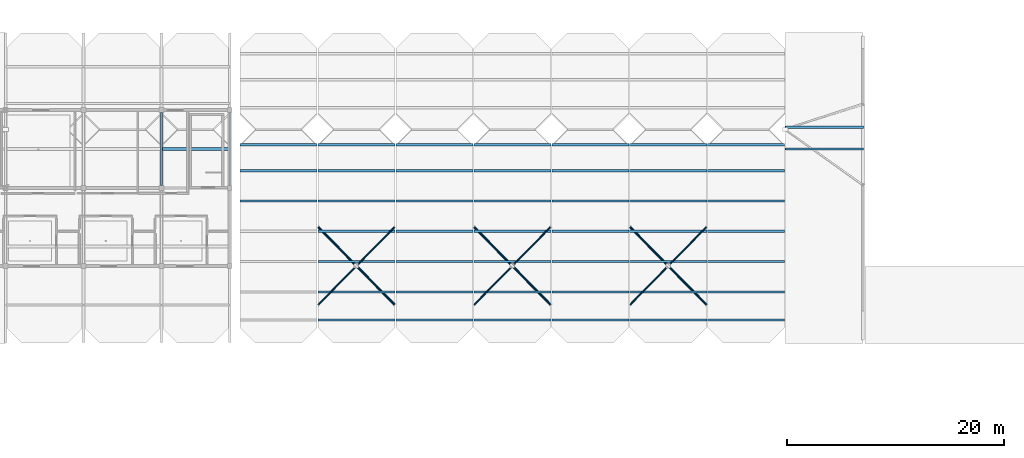
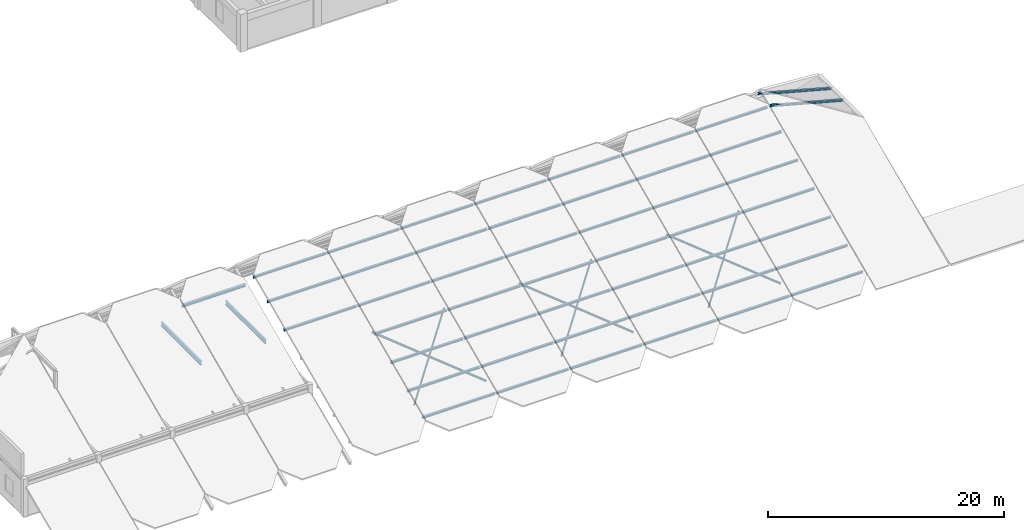
# One storey, part 4 of 54: 57 members, 2 beams.
"""IFC4 building model written with IfcOpenShell, lengths in metres."""

from ifc_helpers import new_model, si_unit, direction, frame, origin, origin_2d, place, context, subcontext, project, spatial, hollow_circle, i_section, extrude, material, material_profile, profile_set, type_object, element, save


model = new_model("IFC4")

# Units and contexts
model_context = context("Model", 3, precision=1e-05, world=origin(), true_north=direction((0.0, 1.0)))
body_context = subcontext(model_context, "Body", "Model", "MODEL_VIEW")
ifc_project = project(units=[si_unit("LENGTHUNIT", "METRE"), si_unit("AREAUNIT", "SQUARE_METRE"), si_unit("VOLUMEUNIT", "CUBIC_METRE"), si_unit("PLANEANGLEUNIT", "RADIAN"), si_unit("MASSUNIT", "GRAM", prefix="KILO")], contexts=[model_context])

# Site, building, storey
site_placement = place(None, origin())
site = spatial("IfcSite", under=ifc_project, at=site_placement, CompositionType="ELEMENT")
building_placement = place(site_placement, origin())
building = spatial("IfcBuilding", under=site, at=building_placement, Name="Koriwan Promenade Central Fire Station", CompositionType="ELEMENT")
storey_placement = place(building_placement, frame((0.0, 0.0, 9.60009765625)))
storey = spatial("IfcBuildingStorey", under=building, at=storey_placement, Name="L02", CompositionType="ELEMENT", Elevation=9.60009765625)

# Members
ifc_material_1 = material(Name="Steel ASTM A500 Grade C", Category="steel")
ifc_material_profile_1 = material_profile(ifc_material_1, hollow_circle(Radius=0.084228515625, WallThickness=0.008056640625, at=origin_2d()), Name="CHS168x8")
ifc_profile_set_1 = profile_set([ifc_material_profile_1], Name="Steel ASTM A500 Grade C")
member_type_1 = type_object("IfcMemberType", Name="Member_BRACE_CHS168x8", PredefinedType="BRACE", material=ifc_profile_set_1)
member_1_placement = place(storey_placement, frame((64.860107421875, 46.800048828125, 0.97998046875), z_axis=(0.668378367491, 0.679720431282, 0.302076965637), x_axis=(-0.713030701844, 0.701132810692, 0.0)))
element("IfcMember", 1, at=member_1_placement, inside=storey, type_object=member_type_1, Name="V1 roof wind brace 2A south half", PredefinedType="BRACE", context=body_context, shape_type="SweptSolid", body=[
    extrude(hollow_circle(Radius=0.084228515625, WallThickness=0.008056640625, at=origin_2d()), origin(), (0.0, 0.0, 1.0), 5.166015625),
])
member_2_placement = place(storey_placement, frame((68.48681640625, 50.48828125, 2.619140625), z_axis=(0.668373502779, 0.679714682125, 0.302100664824), x_axis=(-0.713030288322, 0.701133231231, 0.0)))
element("IfcMember", 2, at=member_2_placement, inside=storey, type_object=member_type_1, Name="V1 roof wind brace 2A north half", PredefinedType="BRACE", context=body_context, shape_type="SweptSolid", body=[
    extrude(hollow_circle(Radius=0.084228515625, WallThickness=0.008056640625, at=origin_2d()), origin(), (0.0, 0.0, 1.0), 5.16650390625),
])
member_3_placement = place(storey_placement, frame((79.260009765625, 46.800048828125, 0.97998046875), z_axis=(0.668404513034, 0.679698961466, 0.30206742416), x_axis=(-0.713005918495, 0.701158013711, 0.0)))
element("IfcMember", 3, at=member_3_placement, inside=storey, type_object=member_type_1, Name="V1 roof wind brace 4A south half", PredefinedType="BRACE", context=body_context, shape_type="SweptSolid", body=[
    extrude(hollow_circle(Radius=0.084228515625, WallThickness=0.008056640625, at=origin_2d()), origin(), (0.0, 0.0, 1.0), 5.166259765625),
])
member_4_placement = place(storey_placement, frame((82.886962890625, 50.48828125, 2.619140625), z_axis=(0.668373502779, 0.679714682125, 0.302100664824), x_axis=(-0.713030288322, 0.701133231231, 0.0)))
element("IfcMember", 4, at=member_4_placement, inside=storey, type_object=member_type_1, Name="V1 roof wind brace 4A north half", PredefinedType="BRACE", context=body_context, shape_type="SweptSolid", body=[
    extrude(hollow_circle(Radius=0.084228515625, WallThickness=0.008056640625, at=origin_2d()), origin(), (0.0, 0.0, 1.0), 5.16650390625),
])
member_5_placement = place(storey_placement, frame((93.659912109375, 46.800048828125, 0.97998046875), z_axis=(0.668404513034, 0.679698961466, 0.30206742416), x_axis=(-0.713005918495, 0.701158013711, 0.0)))
element("IfcMember", 5, at=member_5_placement, inside=storey, type_object=member_type_1, Name="V1 roof wind brace 6A south half", PredefinedType="BRACE", context=body_context, shape_type="SweptSolid", body=[
    extrude(hollow_circle(Radius=0.084228515625, WallThickness=0.008056640625, at=origin_2d()), origin(), (0.0, 0.0, 1.0), 5.166259765625),
])
member_6_placement = place(storey_placement, frame((97.286865234375, 50.48828125, 2.619140625), z_axis=(0.668373502779, 0.679714682125, 0.302100664824), x_axis=(-0.713030288322, 0.701133231231, 0.0)))
element("IfcMember", 6, at=member_6_placement, inside=storey, type_object=member_type_1, Name="V1 roof wind brace 6A north half", PredefinedType="BRACE", context=body_context, shape_type="SweptSolid", body=[
    extrude(hollow_circle(Radius=0.084228515625, WallThickness=0.008056640625, at=origin_2d()), origin(), (0.0, 0.0, 1.0), 5.16650390625),
])
ifc_material_profile_2 = material_profile(ifc_material_1, hollow_circle(Radius=0.109619140625, WallThickness=0.010009765625, at=origin_2d()), Name="CHS219x10")
ifc_profile_set_2 = profile_set([ifc_material_profile_2], Name="Steel ASTM A500 Grade C")
member_type_2 = type_object("IfcMemberType", Name="Member_BRACE_CHS219x10", PredefinedType="BRACE", material=ifc_profile_set_2)
member_7_placement = place(storey_placement, frame((64.860107421875, 54.0, 4.179931640625), z_axis=(0.668375888548, -0.679715622235, -0.302093271189), x_axis=(0.713029521946, 0.70113401061, 0.0)))
element("IfcMember", 7, at=member_7_placement, inside=storey, type_object=member_type_2, Name="V1 roof wind brace 2B", PredefinedType="BRACE", context=body_context, shape_type="SweptSolid", body=[
    extrude(hollow_circle(Radius=0.109619140625, WallThickness=0.010009765625, at=origin_2d()), origin(), (0.0, 0.0, 1.0), 10.592529296875),
])
for number, where, z_axis, x_axis, name in (
    (8, (79.260009765625, 54.0, 4.179931640625), (0.668388640238, -0.679705151353, -0.302088617503), (0.713017434821, 0.701146302594, 0.0), "V1 roof wind brace 4B"),
    (9, (93.659912109375, 54.0, 4.179931640625), (0.668388640238, -0.679705151353, -0.302088617503), (0.713017434821, 0.701146302594, 0.0), "V1 roof wind brace 6B"),
):
    element("IfcMember", number, at=place(storey_placement, frame(where, z_axis=z_axis, x_axis=x_axis)), inside=storey, type_object=member_type_2, Name=name, PredefinedType="BRACE", context=body_context, shape_type="SweptSolid", body=[
        extrude(hollow_circle(Radius=0.109619140625, WallThickness=0.010009765625, at=origin_2d()), origin(), (0.0, 0.0, 1.0), 10.5927734375),
    ])
ifc_material_2 = material(Name="Steel ASTM A992 Grade 50", Category="steel")
ifc_material_profile_3 = material_profile(ifc_material_2, i_section(OverallWidth=0.202880859375, OverallDepth=0.202880859375, WebThickness=0.007080078125, FlangeThickness=0.010986328125, FilletRadius=0.010009765625, at=origin_2d()), Name="W200x46")
ifc_profile_set_3 = profile_set([ifc_material_profile_3], Name="Steel ASTM A992 Grade 50")
member_type_3 = type_object("IfcMemberType", Name="Member_PURLIN_W200x46", PredefinedType="PURLIN", material=ifc_profile_set_3)
for number, where, z_axis, x_axis, name in (
    (10, (57.639892578125, 56.39990234375, 5.4345703125), (1.0, 0.0, 0.0), (0.0, 1.0, 0.0), "V1 roof purlin bay 1-5"),
    (11, (57.639892578125, 61.60009765625, 7.74560546875), (1.0, 0.0, 0.0), (0.0, 1.0, 0.0), "V1 roof purlin bay 1-7"),
):
    element("IfcMember", number, at=place(storey_placement, frame(where, z_axis=z_axis, x_axis=x_axis)), inside=storey, type_object=member_type_3, Name=name, PredefinedType="PURLIN", context=body_context, shape_type="SweptSolid", body=[
        extrude(i_section(OverallWidth=0.202880859375, OverallDepth=0.202880859375, WebThickness=0.007080078125, FlangeThickness=0.010986328125, FilletRadius=0.010009765625, at=origin_2d()), origin(), (0.0, 0.0, 1.0), 7.1201171875),
    ])
for number, where, z_axis, x_axis, name in (
    (12, (64.840087890625, 45.39990234375, 0.545654296875), (1.0, 0.0, 0.0), (0.0, 1.0, 0.0), "V1 roof purlin bay 2-1"),
    (13, (64.840087890625, 50.800048828125, 2.945556640625), (1.0, 0.0, 0.0), (0.0, 1.0, 0.0), "V1 roof purlin bay 2-3"),
    (14, (64.840087890625, 56.39990234375, 5.4345703125), (1.0, 0.0, 0.0), (0.0, 1.0, 0.0), "V1 roof purlin bay 2-5"),
    (15, (64.840087890625, 61.60009765625, 7.74560546875), (1.0, 0.0, 0.0), (0.0, 1.0, 0.0), "V1 roof purlin bay 2-7"),
    (16, (72.0400390625, 45.39990234375, 0.545654296875), (1.0, 0.0, 0.0), (0.0, 1.0, 0.0), "V1 roof purlin bay 3-1"),
    (17, (72.0400390625, 50.800048828125, 2.945556640625), (1.0, 0.0, 0.0), (0.0, 1.0, 0.0), "V1 roof purlin bay 3-3"),
    (18, (72.0400390625, 56.39990234375, 5.4345703125), (1.0, 0.0, 0.0), (0.0, 1.0, 0.0), "V1 roof purlin bay 3-5"),
    (19, (72.0400390625, 61.60009765625, 7.74560546875), (1.0, 0.0, 0.0), (0.0, 1.0, 0.0), "V1 roof purlin bay 3-7"),
):
    element("IfcMember", number, at=place(storey_placement, frame(where, z_axis=z_axis, x_axis=x_axis)), inside=storey, type_object=member_type_3, Name=name, PredefinedType="PURLIN", context=body_context, shape_type="SweptSolid", body=[
        extrude(i_section(OverallWidth=0.202880859375, OverallDepth=0.202880859375, WebThickness=0.007080078125, FlangeThickness=0.010986328125, FilletRadius=0.010009765625, at=origin_2d()), origin(), (0.0, 0.0, 1.0), 7.119873046875),
    ])
for number, where, z_axis, x_axis, name in (
    (20, (79.239990234375, 45.39990234375, 0.545654296875), (1.0, 0.0, 0.0), (0.0, 1.0, 0.0), "V1 roof purlin bay 4-1"),
    (21, (79.239990234375, 50.800048828125, 2.945556640625), (1.0, 0.0, 0.0), (0.0, 1.0, 0.0), "V1 roof purlin bay 4-3"),
    (22, (79.239990234375, 56.39990234375, 5.4345703125), (1.0, 0.0, 0.0), (0.0, 1.0, 0.0), "V1 roof purlin bay 4-5"),
    (23, (79.239990234375, 61.60009765625, 7.74560546875), (1.0, 0.0, 0.0), (0.0, 1.0, 0.0), "V1 roof purlin bay 4-7"),
    (24, (86.43994140625, 45.39990234375, 0.545654296875), (1.0, 0.0, 0.0), (0.0, 1.0, 0.0), "V1 roof purlin bay 5-1"),
    (25, (86.43994140625, 50.800048828125, 2.945556640625), (1.0, 0.0, 0.0), (0.0, 1.0, 0.0), "V1 roof purlin bay 5-3"),
    (26, (86.43994140625, 56.39990234375, 5.4345703125), (1.0, 0.0, 0.0), (0.0, 1.0, 0.0), "V1 roof purlin bay 5-5"),
    (27, (86.43994140625, 61.60009765625, 7.74560546875), (1.0, 0.0, 0.0), (0.0, 1.0, 0.0), "V1 roof purlin bay 5-7"),
    (28, (93.639892578125, 45.39990234375, 0.545654296875), (1.0, 0.0, 0.0), (0.0, 1.0, 0.0), "V1 roof purlin bay 6-1"),
    (29, (93.639892578125, 50.800048828125, 2.945556640625), (1.0, 0.0, 0.0), (0.0, 1.0, 0.0), "V1 roof purlin bay 6-3"),
    (30, (93.639892578125, 56.39990234375, 5.4345703125), (1.0, 0.0, 0.0), (0.0, 1.0, 0.0), "V1 roof purlin bay 6-5"),
    (31, (93.639892578125, 61.60009765625, 7.74560546875), (1.0, 0.0, 0.0), (0.0, 1.0, 0.0), "V1 roof purlin bay 6-7"),
):
    element("IfcMember", number, at=place(storey_placement, frame(where, z_axis=z_axis, x_axis=x_axis)), inside=storey, type_object=member_type_3, Name=name, PredefinedType="PURLIN", context=body_context, shape_type="SweptSolid", body=[
        extrude(i_section(OverallWidth=0.202880859375, OverallDepth=0.202880859375, WebThickness=0.007080078125, FlangeThickness=0.010986328125, FilletRadius=0.010009765625, at=origin_2d()), origin(), (0.0, 0.0, 1.0), 7.1201171875),
    ])
for number, where, z_axis, x_axis, name in (
    (32, (100.840087890625, 45.39990234375, 0.545654296875), (1.0, 0.0, 0.0), (0.0, 1.0, 0.0), "V1 roof purlin bay 7-1"),
    (33, (100.840087890625, 50.800048828125, 2.945556640625), (1.0, 0.0, 0.0), (0.0, 1.0, 0.0), "V1 roof purlin bay 7-3"),
    (34, (100.840087890625, 56.39990234375, 5.4345703125), (1.0, 0.0, 0.0), (0.0, 1.0, 0.0), "V1 roof purlin bay 7-5"),
    (35, (100.840087890625, 61.60009765625, 7.74560546875), (1.0, 0.0, 0.0), (0.0, 1.0, 0.0), "V1 roof purlin bay 7-7"),
):
    element("IfcMember", number, at=place(storey_placement, frame(where, z_axis=z_axis, x_axis=x_axis)), inside=storey, type_object=member_type_3, Name=name, PredefinedType="PURLIN", context=body_context, shape_type="SweptSolid", body=[
        extrude(i_section(OverallWidth=0.202880859375, OverallDepth=0.202880859375, WebThickness=0.007080078125, FlangeThickness=0.010986328125, FilletRadius=0.010009765625, at=origin_2d()), origin(), (0.0, 0.0, 1.0), 7.119873046875),
    ])
ifc_material_profile_4 = material_profile(ifc_material_2, i_section(OverallWidth=0.205078125, OverallDepth=0.2099609375, WebThickness=0.009033203125, FlangeThickness=0.01416015625, FilletRadius=0.010009765625, at=origin_2d()), Name="W200x59")
ifc_profile_set_4 = profile_set([ifc_material_profile_4], Name="Steel ASTM A992 Grade 50")
member_type_4 = type_object("IfcMemberType", Name="Member_PURLIN_W200x59", PredefinedType="PURLIN", material=ifc_profile_set_4)
member_8_placement = place(storey_placement, frame((57.639892578125, 59.199951171875, 6.678955078125), z_axis=(1.0, 0.0, 0.0), x_axis=(0.0, 1.0, 0.0)))
element("IfcMember", 36, at=member_8_placement, inside=storey, type_object=member_type_4, Name="V1 roof purlin bay 1-6", PredefinedType="PURLIN", context=body_context, shape_type="SweptSolid", body=[
    extrude(i_section(OverallWidth=0.205078125, OverallDepth=0.2099609375, WebThickness=0.009033203125, FlangeThickness=0.01416015625, FilletRadius=0.010009765625, at=origin_2d()), origin(), (0.0, 0.0, 1.0), 7.1201171875),
])
for number, where, z_axis, x_axis, name in (
    (37, (64.840087890625, 48.0, 1.701171875), (1.0, 0.0, 0.0), (0.0, 1.0, 0.0), "V1 roof purlin bay 2-2"),
    (38, (64.840087890625, 53.60009765625, 4.190185546875), (1.0, 0.0, 0.0), (0.0, 1.0, 0.0), "V1 roof purlin bay 2-4"),
    (39, (64.840087890625, 59.199951171875, 6.678955078125), (1.0, 0.0, 0.0), (0.0, 1.0, 0.0), "V1 roof purlin bay 2-6"),
    (40, (72.0400390625, 48.0, 1.701171875), (1.0, 0.0, 0.0), (0.0, 1.0, 0.0), "V1 roof purlin bay 3-2"),
    (41, (72.0400390625, 53.60009765625, 4.190185546875), (1.0, 0.0, 0.0), (0.0, 1.0, 0.0), "V1 roof purlin bay 3-4"),
    (42, (72.0400390625, 59.199951171875, 6.678955078125), (1.0, 0.0, 0.0), (0.0, 1.0, 0.0), "V1 roof purlin bay 3-6"),
):
    element("IfcMember", number, at=place(storey_placement, frame(where, z_axis=z_axis, x_axis=x_axis)), inside=storey, type_object=member_type_4, Name=name, PredefinedType="PURLIN", context=body_context, shape_type="SweptSolid", body=[
        extrude(i_section(OverallWidth=0.205078125, OverallDepth=0.2099609375, WebThickness=0.009033203125, FlangeThickness=0.01416015625, FilletRadius=0.010009765625, at=origin_2d()), origin(), (0.0, 0.0, 1.0), 7.119873046875),
    ])
for number, where, z_axis, x_axis, name in (
    (43, (79.239990234375, 48.0, 1.701171875), (1.0, 0.0, 0.0), (0.0, 1.0, 0.0), "V1 roof purlin bay 4-2"),
    (44, (79.239990234375, 53.60009765625, 4.190185546875), (1.0, 0.0, 0.0), (0.0, 1.0, 0.0), "V1 roof purlin bay 4-4"),
    (45, (79.239990234375, 59.199951171875, 6.678955078125), (1.0, 0.0, 0.0), (0.0, 1.0, 0.0), "V1 roof purlin bay 4-6"),
    (46, (86.43994140625, 48.0, 1.701171875), (1.0, 0.0, 0.0), (0.0, 1.0, 0.0), "V1 roof purlin bay 5-2"),
    (47, (86.43994140625, 53.60009765625, 4.190185546875), (1.0, 0.0, 0.0), (0.0, 1.0, 0.0), "V1 roof purlin bay 5-4"),
    (48, (86.43994140625, 59.199951171875, 6.678955078125), (1.0, 0.0, 0.0), (0.0, 1.0, 0.0), "V1 roof purlin bay 5-6"),
    (49, (93.639892578125, 48.0, 1.701171875), (1.0, 0.0, 0.0), (0.0, 1.0, 0.0), "V1 roof purlin bay 6-2"),
    (50, (93.639892578125, 53.60009765625, 4.190185546875), (1.0, 0.0, 0.0), (0.0, 1.0, 0.0), "V1 roof purlin bay 6-4"),
    (51, (93.639892578125, 59.199951171875, 6.678955078125), (1.0, 0.0, 0.0), (0.0, 1.0, 0.0), "V1 roof purlin bay 6-6"),
):
    element("IfcMember", number, at=place(storey_placement, frame(where, z_axis=z_axis, x_axis=x_axis)), inside=storey, type_object=member_type_4, Name=name, PredefinedType="PURLIN", context=body_context, shape_type="SweptSolid", body=[
        extrude(i_section(OverallWidth=0.205078125, OverallDepth=0.2099609375, WebThickness=0.009033203125, FlangeThickness=0.01416015625, FilletRadius=0.010009765625, at=origin_2d()), origin(), (0.0, 0.0, 1.0), 7.1201171875),
    ])
for number, where, z_axis, x_axis, name in (
    (52, (100.840087890625, 48.0, 1.701171875), (1.0, 0.0, 0.0), (0.0, 1.0, 0.0), "V1 roof purlin bay 7-2"),
    (53, (100.840087890625, 53.60009765625, 4.190185546875), (1.0, 0.0, 0.0), (0.0, 1.0, 0.0), "V1 roof purlin bay 7-4"),
    (54, (100.840087890625, 59.199951171875, 6.678955078125), (1.0, 0.0, 0.0), (0.0, 1.0, 0.0), "V1 roof purlin bay 7-6"),
):
    element("IfcMember", number, at=place(storey_placement, frame(where, z_axis=z_axis, x_axis=x_axis)), inside=storey, type_object=member_type_4, Name=name, PredefinedType="PURLIN", context=body_context, shape_type="SweptSolid", body=[
        extrude(i_section(OverallWidth=0.205078125, OverallDepth=0.2099609375, WebThickness=0.009033203125, FlangeThickness=0.01416015625, FilletRadius=0.010009765625, at=origin_2d()), origin(), (0.0, 0.0, 1.0), 7.119873046875),
    ])
for number, where, z_axis, x_axis, name in (
    (55, (108.0, 61.199951171875, 8.119873046875), (0.965893800669, 0.0, -0.258938536777), (0.0, 1.0, 0.0), "V1 east chamfer sloped rafter 1"),
    (56, (108.0, 63.199951171875, 8.119873046875), (0.965893800669, 0.0, -0.258938536777), (0.0, 1.0, 0.0), "V1 east chamfer sloped rafter 2"),
):
    element("IfcMember", number, at=place(storey_placement, frame(where, z_axis=z_axis, x_axis=x_axis)), inside=storey, type_object=member_type_4, Name=name, PredefinedType="PURLIN", context=body_context, shape_type="SweptSolid", body=[
        extrude(i_section(OverallWidth=0.205078125, OverallDepth=0.2099609375, WebThickness=0.009033203125, FlangeThickness=0.01416015625, FilletRadius=0.010009765625, at=origin_2d()), origin(), (0.0, 0.0, 1.0), 7.4541015625),
    ])
ifc_material_profile_5 = material_profile(ifc_material_2, i_section(OverallWidth=0.25390625, OverallDepth=0.2529296875, WebThickness=0.008544921875, FlangeThickness=0.01416015625, FilletRadius=0.012939453125, at=origin_2d()), Name="W250x73")
ifc_profile_set_5 = profile_set([ifc_material_profile_5], Name="Steel ASTM A992 Grade 50")
member_type_5 = type_object("IfcMemberType", Name="Member_PURLIN_W250x73", PredefinedType="PURLIN", material=ifc_profile_set_5)
member_9_placement = place(storey_placement, frame((50.43994140625, 61.199951171875, 7.556884765625), z_axis=(1.0, 0.0, 0.0), x_axis=(0.0, 1.0, 0.0)))
element("IfcMember", 57, at=member_9_placement, inside=storey, type_object=member_type_5, Name="V4 roof purlin bay 4-4", PredefinedType="PURLIN", context=body_context, shape_type="SweptSolid", body=[
    extrude(i_section(OverallWidth=0.25390625, OverallDepth=0.2529296875, WebThickness=0.008544921875, FlangeThickness=0.01416015625, FilletRadius=0.012939453125, at=origin_2d()), origin(), (0.0, 0.0, 1.0), 6.219970703125),
])

# Beams
ifc_material_profile_6 = material_profile(ifc_material_2, i_section(OverallWidth=0.180908203125, OverallDepth=0.4169921875, WebThickness=0.010986328125, FlangeThickness=0.018310546875, FilletRadius=0.01611328125, at=origin_2d()), Name="W410x85")
ifc_profile_set_6 = profile_set([ifc_material_profile_6], Name="Steel ASTM A992 Grade 50")
beam_type = type_object("IfcBeamType", Name="SteelBeam_W410x85", PredefinedType="BEAM", material=ifc_profile_set_6)
for number, where, z_axis, x_axis, name in (
    (58, (50.39990234375, 57.824951171875, 3.69140625), (0.0, 1.0, 0.0), (-1.0, 0.0, 0.0), "V4 L02 girder Y-477"),
    (59, (56.699951171875, 57.824951171875, 3.69140625), (0.0, 1.0, 0.0), (-1.0, 0.0, 0.0), "V4 L02 girder Y-479"),
):
    element("IfcBeam", number, at=place(storey_placement, frame(where, z_axis=z_axis, x_axis=x_axis)), inside=storey, type_object=beam_type, Name=name, PredefinedType="BEAM", context=body_context, shape_type="SweptSolid", body=[
        extrude(i_section(OverallWidth=0.180908203125, OverallDepth=0.4169921875, WebThickness=0.010986328125, FlangeThickness=0.018310546875, FilletRadius=0.01611328125, at=origin_2d()), origin(), (0.0, 0.0, 1.0), 6.75),
    ])

save(model, "model.ifc")
